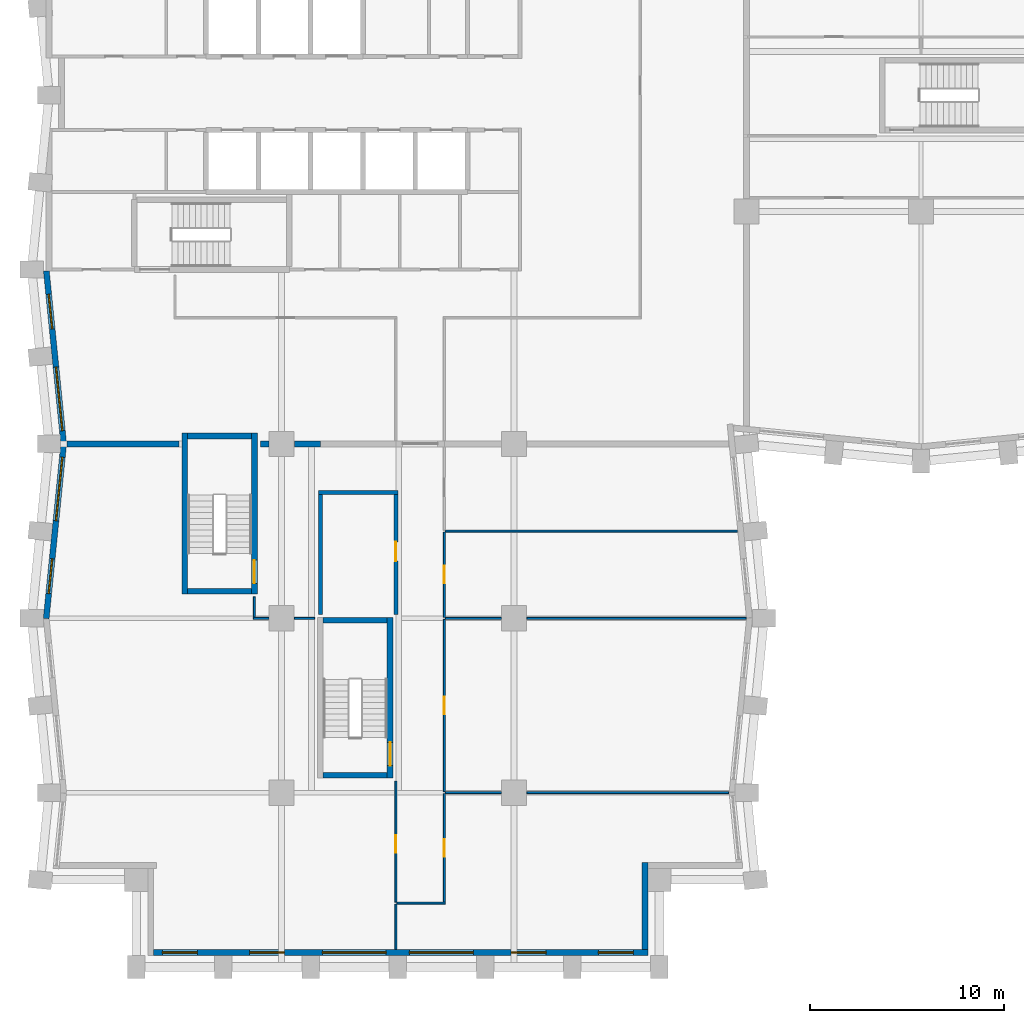
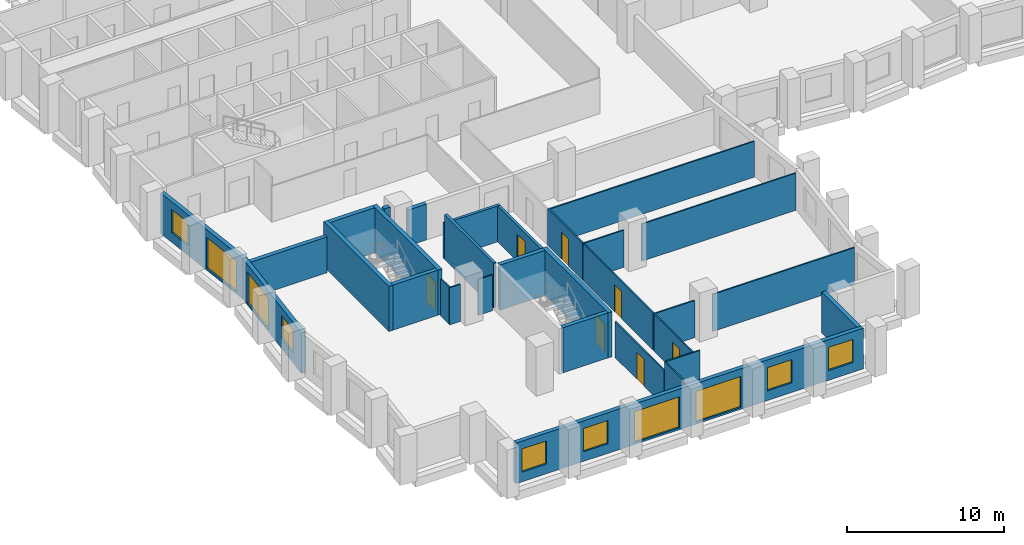
# One storey, part 3 of 11: 31 walls, 10 windows, 7 doors, 17 openings.
"""IFC4 building model written with IfcOpenShell, lengths in metres."""

from ifc_helpers import new_model, si_unit, direction, frame, frame_2d, origin, place, context, subcontext, project, spatial, rectangle, extrude, material, layer, layer_set, type_object, element, fill, save


model = new_model("IFC4")

# Units and contexts
model_context = context("Model", 3, precision=1e-05, world=origin(), true_north=direction((0.0, 1.0)))
body_context = subcontext(model_context, "Body", "Model", "MODEL_VIEW")
ifc_project = project(units=[si_unit("LENGTHUNIT", "METRE"), si_unit("AREAUNIT", "SQUARE_METRE"), si_unit("VOLUMEUNIT", "CUBIC_METRE"), si_unit("PLANEANGLEUNIT", "RADIAN"), si_unit("MASSUNIT", "GRAM", prefix="KILO")], contexts=[model_context])

# Site, building, storey
site_placement = place(None, origin())
site = spatial("IfcSite", under=ifc_project, at=site_placement, CompositionType="ELEMENT")
building_placement = place(site_placement, origin())
building = spatial("IfcBuilding", under=site, at=building_placement, Name="Brondeck Convention Tower", CompositionType="ELEMENT")
storey_placement = place(building_placement, frame((0.0, 0.0, 99.89990234375)))
storey = spatial("IfcBuildingStorey", under=building, at=storey_placement, Name="L23", CompositionType="ELEMENT", Elevation=99.89990234375)

# Walls
ifc_material_1 = material(Name="Concrete compartment wall C30/37", Category="concrete")
ifc_layer_1 = layer(ifc_material_1, 0.300048828125)
ifc_layer_set_1 = layer_set([ifc_layer_1], Name="Compartment wall 300")
wall_type_1 = type_object("IfcWallType", Name="Compartment wall 300", PredefinedType="PARTITIONING", material=ifc_layer_set_1)
wall_1_placement = place(storey_placement, frame((0.924560546875, 27.0, 0.0), z_axis=(0.0, 0.0, 1.0), x_axis=(1.0, 0.0, 0.0)))
element("IfcWall", 1, at=wall_1_placement, inside=storey, type_object=wall_type_1, Name="FLR-L23-W019", PredefinedType="PARTITIONING", context=body_context, shape_type="SweptSolid", body=[
    extrude(rectangle(XDim=5.775390625, YDim=0.300048828125, at=frame_2d((2.8876953125, 0.0))), origin(), (0.0, 0.0, 1.0), 2.780029296875),
])
wall_2_placement = place(storey_placement, frame((10.89990234375, 27.0, 0.0), z_axis=(0.0, 0.0, 1.0), x_axis=(1.0, 0.0, 0.0)))
element("IfcWall", 2, at=wall_2_placement, inside=storey, type_object=wall_type_1, Name="FLR-L23-W020", PredefinedType="PARTITIONING", context=body_context, shape_type="SweptSolid", body=[
    extrude(rectangle(XDim=0.445068359375, YDim=0.300048828125, at=frame_2d((0.22265625, 0.0))), origin(), (0.0, 0.0, 1.0), 3.47998046875),
])
wall_3_placement = place(storey_placement, frame((12.655029296875, 27.0, 0.0), z_axis=(0.0, 0.0, 1.0), x_axis=(1.0, 0.0, 0.0)))
element("IfcWall", 3, at=wall_3_placement, inside=storey, type_object=wall_type_1, Name="FLR-L23-W021", PredefinedType="PARTITIONING", context=body_context, shape_type="SweptSolid", body=[
    extrude(rectangle(XDim=1.344970703125, YDim=0.300048828125, at=frame_2d((0.67236328125, 0.0))), origin(), (0.0, 0.0, 1.0), 2.780029296875),
])

# Wall, openings, windows
ifc_material_2 = material(Name="Precast concrete C50/60 bronze finish", Category="concrete")
ifc_layer_2 = layer(ifc_material_2, 0.070068359375, Name="Bronze precast facing")
ifc_material_3 = material(Name="Mineral wool")
ifc_layer_3 = layer(ifc_material_3, 0.159912109375, Name="Insulation")
ifc_material_4 = material(Name="Concrete C35/45", Category="concrete")
ifc_layer_4 = layer(ifc_material_4, 0.070068359375, Name="Backing")
ifc_layer_set_2 = layer_set([ifc_layer_2, ifc_layer_3, ifc_layer_4], Name="External infill wall, precast concrete C50/60 bronze facing")
wall_type_2 = type_object("IfcWallType", Name="External infill wall, precast concrete C50/60 bronze facing", PredefinedType="SOLIDWALL", material=ifc_layer_set_2)
wall_4_placement = place(storey_placement, frame((30.89990234375, 0.75, 0.0), z_axis=(0.0, 0.0, 1.0), x_axis=(-1.0, 0.0, 0.0)))
wall_4 = element("IfcWall", 4, at=wall_4_placement, inside=storey, type_object=wall_type_2, Name="ENV-EW-L23-P0-B-S0-01", PredefinedType="SOLIDWALL", context=body_context, shape_type="SweptSolid", body=[
    extrude(rectangle(XDim=25.5, YDim=0.300048828125, at=frame_2d((12.75, 0.0))), origin(), (0.0, 0.0, 1.0), 3.150146484375),
])
opening_1_placement = place(wall_4_placement, frame((0.75, 0.0, 0.75)))
opening_1 = element("IfcOpeningElement", 5, at=opening_1_placement, cuts=wall_4, Name="Opening W10", PredefinedType="OPENING", context=body_context, shape_type="SweptSolid", body=[
    extrude(rectangle(XDim=1.800048828125, YDim=1.800048828125, at=frame_2d((0.89990234375, 0.89990234375))), frame((0.0, 0.159912109375, 0.0), z_axis=(0.0, -1.0, 0.0), x_axis=(1.0, 0.0, 0.0)), (0.0, 0.0, 1.0), 0.320068359375),
])
opening_2_placement = place(wall_4_placement, frame((5.25, 0.0, 0.75)))
opening_2 = element("IfcOpeningElement", 6, at=opening_2_placement, cuts=wall_4, Name="Opening W10", PredefinedType="OPENING", context=body_context, shape_type="SweptSolid", body=[
    extrude(rectangle(XDim=1.800048828125, YDim=1.800048828125, at=frame_2d((0.89990234375, 0.89990234375))), frame((0.0, 0.159912109375, 0.0), z_axis=(0.0, -1.0, 0.0), x_axis=(1.0, 0.0, 0.0)), (0.0, 0.0, 1.0), 0.320068359375),
])
opening_3_placement = place(wall_4_placement, frame((9.0, 0.0, 0.14990234375)))
opening_3 = element("IfcOpeningElement", 7, at=opening_3_placement, cuts=wall_4, Name="Opening W9", PredefinedType="OPENING", context=body_context, shape_type="SweptSolid", body=[
    extrude(rectangle(XDim=3.300048828125, YDim=2.39990234375, at=frame_2d((1.64990234375, 1.199951171875))), frame((0.0, 0.159912109375, 0.0), z_axis=(0.0, -1.0, 0.0), x_axis=(1.0, 0.0, 0.0)), (0.0, 0.0, 1.0), 0.320068359375),
])
opening_4_placement = place(wall_4_placement, frame((13.5, 0.0, 0.14990234375)))
opening_4 = element("IfcOpeningElement", 8, at=opening_4_placement, cuts=wall_4, Name="Opening W9", PredefinedType="OPENING", context=body_context, shape_type="SweptSolid", body=[
    extrude(rectangle(XDim=3.300048828125, YDim=2.39990234375, at=frame_2d((1.64990234375, 1.199951171875))), frame((0.0, 0.159912109375, 0.0), z_axis=(0.0, -1.0, 0.0), x_axis=(1.0, 0.0, 0.0)), (0.0, 0.0, 1.0), 0.320068359375),
])
opening_5_placement = place(wall_4_placement, frame((18.75, 0.0, 0.75)))
opening_5 = element("IfcOpeningElement", 9, at=opening_5_placement, cuts=wall_4, Name="Opening W10", PredefinedType="OPENING", context=body_context, shape_type="SweptSolid", body=[
    extrude(rectangle(XDim=1.800048828125, YDim=1.800048828125, at=frame_2d((0.89990234375, 0.89990234375))), frame((0.0, 0.159912109375, 0.0), z_axis=(0.0, -1.0, 0.0), x_axis=(1.0, 0.0, 0.0)), (0.0, 0.0, 1.0), 0.320068359375),
])
opening_6_placement = place(wall_4_placement, frame((23.25, 0.0, 0.75)))
opening_6 = element("IfcOpeningElement", 10, at=opening_6_placement, cuts=wall_4, Name="Opening W10", PredefinedType="OPENING", context=body_context, shape_type="SweptSolid", body=[
    extrude(rectangle(XDim=1.800048828125, YDim=1.800048828125, at=frame_2d((0.89990234375, 0.89990234375))), frame((0.0, 0.159912109375, 0.0), z_axis=(0.0, -1.0, 0.0), x_axis=(1.0, 0.0, 0.0)), (0.0, 0.0, 1.0), 0.320068359375),
])
ifc_material_5 = material(Name="Bronze tinted double glazing", Category="glass")
window_type_1 = type_object("IfcWindowType", Name="Glazed flute window, bronze tinted", PartitioningType="SINGLE_PANEL", PredefinedType="WINDOW", material=ifc_material_5)
window_1_placement = place(opening_3_placement, origin())
window_1 = element("IfcWindow", 11, at=window_1_placement, inside=storey, type_object=window_type_1, Name="ENV-WN-L23-P0-B-S0-04", OverallHeight=2.39990234375, OverallWidth=3.300048828125, PartitioningType="SINGLE_PANEL", PredefinedType="WINDOW", context=body_context, shape_type="SweptSolid", body=[
    extrude(rectangle(XDim=3.300048828125, YDim=2.39990234375, at=frame_2d((1.64990234375, 1.199951171875))), frame((0.0, 0.030029296875, 0.0), z_axis=(0.0, -1.0, 0.0), x_axis=(1.0, 0.0, 0.0)), (0.0, 0.0, 1.0), 0.06005859375),
])
fill(opening_3, window_1)
window_2_placement = place(opening_4_placement, origin())
window_2 = element("IfcWindow", 12, at=window_2_placement, inside=storey, type_object=window_type_1, Name="ENV-WN-L23-P0-B-S0-03", OverallHeight=2.39990234375, OverallWidth=3.300048828125, PartitioningType="SINGLE_PANEL", PredefinedType="WINDOW", context=body_context, shape_type="SweptSolid", body=[
    extrude(rectangle(XDim=3.300048828125, YDim=2.39990234375, at=frame_2d((1.64990234375, 1.199951171875))), frame((0.0, 0.030029296875, 0.0), z_axis=(0.0, -1.0, 0.0), x_axis=(1.0, 0.0, 0.0)), (0.0, 0.0, 1.0), 0.06005859375),
])
fill(opening_4, window_2)
window_type_2 = type_object("IfcWindowType", Name="Punched window, bronze tinted", PartitioningType="SINGLE_PANEL", PredefinedType="WINDOW", material=ifc_material_5)
window_3_placement = place(opening_1_placement, origin())
window_3 = element("IfcWindow", 13, at=window_3_placement, inside=storey, type_object=window_type_2, Name="ENV-WN-L23-P0-B-S0-06", OverallHeight=1.800048828125, OverallWidth=1.800048828125, PartitioningType="SINGLE_PANEL", PredefinedType="WINDOW", context=body_context, shape_type="SweptSolid", body=[
    extrude(rectangle(XDim=1.800048828125, YDim=1.800048828125, at=frame_2d((0.89990234375, 0.89990234375))), frame((0.0, 0.030029296875, 0.0), z_axis=(0.0, -1.0, 0.0), x_axis=(1.0, 0.0, 0.0)), (0.0, 0.0, 1.0), 0.06005859375),
])
fill(opening_1, window_3)
window_4_placement = place(opening_2_placement, origin())
window_4 = element("IfcWindow", 14, at=window_4_placement, inside=storey, type_object=window_type_2, Name="ENV-WN-L23-P0-B-S0-05", OverallHeight=1.800048828125, OverallWidth=1.800048828125, PartitioningType="SINGLE_PANEL", PredefinedType="WINDOW", context=body_context, shape_type="SweptSolid", body=[
    extrude(rectangle(XDim=1.800048828125, YDim=1.800048828125, at=frame_2d((0.89990234375, 0.89990234375))), frame((0.0, 0.030029296875, 0.0), z_axis=(0.0, -1.0, 0.0), x_axis=(1.0, 0.0, 0.0)), (0.0, 0.0, 1.0), 0.06005859375),
])
fill(opening_2, window_4)
window_5_placement = place(opening_5_placement, origin())
window_5 = element("IfcWindow", 15, at=window_5_placement, inside=storey, type_object=window_type_2, Name="ENV-WN-L23-P0-B-S0-02", OverallHeight=1.800048828125, OverallWidth=1.800048828125, PartitioningType="SINGLE_PANEL", PredefinedType="WINDOW", context=body_context, shape_type="SweptSolid", body=[
    extrude(rectangle(XDim=1.800048828125, YDim=1.800048828125, at=frame_2d((0.89990234375, 0.89990234375))), frame((0.0, 0.030029296875, 0.0), z_axis=(0.0, -1.0, 0.0), x_axis=(1.0, 0.0, 0.0)), (0.0, 0.0, 1.0), 0.06005859375),
])
fill(opening_5, window_5)
window_6_placement = place(opening_6_placement, origin())
window_6 = element("IfcWindow", 16, at=window_6_placement, inside=storey, type_object=window_type_2, Name="ENV-WN-L23-P0-B-S0-01", OverallHeight=1.800048828125, OverallWidth=1.800048828125, PartitioningType="SINGLE_PANEL", PredefinedType="WINDOW", context=body_context, shape_type="SweptSolid", body=[
    extrude(rectangle(XDim=1.800048828125, YDim=1.800048828125, at=frame_2d((0.89990234375, 0.89990234375))), frame((0.0, 0.030029296875, 0.0), z_axis=(0.0, -1.0, 0.0), x_axis=(1.0, 0.0, 0.0)), (0.0, 0.0, 1.0), 0.06005859375),
])
fill(opening_6, window_6)

# Wall
wall_5_placement = place(storey_placement, frame((30.75, 5.39990234375, 0.0), z_axis=(0.0, 0.0, 1.0), x_axis=(0.0, -1.0, 0.0)))
element("IfcWall", 17, at=wall_5_placement, inside=storey, type_object=wall_type_2, Name="ENV-EW-L23-P0-NC-SEB0-01", PredefinedType="SOLIDWALL", context=body_context, shape_type="SweptSolid", body=[
    extrude(rectangle(XDim=4.501953125, YDim=0.300048828125, at=frame_2d((2.2509765625, 0.0))), origin(), (0.0, 0.0, 1.0), 3.150146484375),
])

# Wall, openings, windows
wall_6_placement = place(storey_placement, frame((0.755126953125, 26.985107421875, 0.0), z_axis=(0.0, 0.0, 1.0), x_axis=(-0.099479505633, 0.995039611251, 0.0)))
wall_6 = element("IfcWall", 18, at=wall_6_placement, inside=storey, type_object=wall_type_2, Name="ENV-EW-L23-P0-B-W-06", PredefinedType="SOLIDWALL", context=body_context, shape_type="SweptSolid", body=[
    extrude(rectangle(XDim=8.98486328125, YDim=0.300048828125, at=frame_2d((4.492431640625, 0.0))), origin(), (0.0, 0.0, 1.0), 3.150146484375),
])
opening_7_placement = place(wall_6_placement, frame((0.701171875, 0.0, 0.14990234375)))
opening_7 = element("IfcOpeningElement", 19, at=opening_7_placement, cuts=wall_6, Name="Opening W9", PredefinedType="OPENING", context=body_context, shape_type="SweptSolid", body=[
    extrude(rectangle(XDim=3.300048828125, YDim=2.39990234375, at=frame_2d((1.64990234375, 1.199951171875))), frame((0.0, 0.159912109375, 0.0), z_axis=(0.0, -1.0, 0.0), x_axis=(1.0, 0.0, 0.0)), (0.0, 0.0, 1.0), 0.320068359375),
])
opening_8_placement = place(wall_6_placement, frame((5.9736328125, 0.0, 0.75)))
opening_8 = element("IfcOpeningElement", 20, at=opening_8_placement, cuts=wall_6, Name="Opening W10", PredefinedType="OPENING", context=body_context, shape_type="SweptSolid", body=[
    extrude(rectangle(XDim=1.800048828125, YDim=1.800048828125, at=frame_2d((0.89990234375, 0.89990234375))), frame((0.0, 0.159912109375, 0.0), z_axis=(0.0, -1.0, 0.0), x_axis=(1.0, 0.0, 0.0)), (0.0, 0.0, 1.0), 0.320068359375),
])
window_7_placement = place(opening_7_placement, origin())
window_7 = element("IfcWindow", 21, at=window_7_placement, inside=storey, type_object=window_type_1, Name="ENV-WN-L23-P0-B-W-07", OverallHeight=2.39990234375, OverallWidth=3.300048828125, PartitioningType="SINGLE_PANEL", PredefinedType="WINDOW", context=body_context, shape_type="SweptSolid", body=[
    extrude(rectangle(XDim=3.300048828125, YDim=2.39990234375, at=frame_2d((1.64990234375, 1.199951171875))), frame((0.0, 0.030029296875, 0.0), z_axis=(0.0, -1.0, 0.0), x_axis=(1.0, 0.0, 0.0)), (0.0, 0.0, 1.0), 0.06005859375),
])
fill(opening_7, window_7)
window_8_placement = place(opening_8_placement, origin())
window_8 = element("IfcWindow", 22, at=window_8_placement, inside=storey, type_object=window_type_2, Name="ENV-WN-L23-P0-B-W-06", OverallHeight=1.800048828125, OverallWidth=1.800048828125, PartitioningType="SINGLE_PANEL", PredefinedType="WINDOW", context=body_context, shape_type="SweptSolid", body=[
    extrude(rectangle(XDim=1.800048828125, YDim=1.800048828125, at=frame_2d((0.89990234375, 0.89990234375))), frame((0.0, 0.030029296875, 0.0), z_axis=(0.0, -1.0, 0.0), x_axis=(1.0, 0.0, 0.0)), (0.0, 0.0, 1.0), 0.06005859375),
])
fill(opening_8, window_8)

wall_7_placement = place(storey_placement, frame((-0.147705078125, 17.985107421875, 0.0), z_axis=(0.0, 0.0, 1.0), x_axis=(0.099495688264, 0.995037993253, 0.0)))
wall_7 = element("IfcWall", 23, at=wall_7_placement, inside=storey, type_object=wall_type_2, Name="ENV-EW-L23-P0-B-W-08", PredefinedType="SOLIDWALL", context=body_context, shape_type="SweptSolid", body=[
    extrude(rectangle(XDim=9.030029296875, YDim=0.300048828125, at=frame_2d((4.51513671875, 0.0))), origin(), (0.0, 0.0, 1.0), 3.150146484375),
])
opening_9_placement = place(wall_7_placement, frame((1.30126953125, 0.0, 0.75)))
opening_9 = element("IfcOpeningElement", 24, at=opening_9_placement, cuts=wall_7, Name="Opening W10", PredefinedType="OPENING", context=body_context, shape_type="SweptSolid", body=[
    extrude(rectangle(XDim=1.800048828125, YDim=1.800048828125, at=frame_2d((0.89990234375, 0.89990234375))), frame((0.0, 0.159912109375, 0.0), z_axis=(0.0, -1.0, 0.0), x_axis=(1.0, 0.0, 0.0)), (0.0, 0.0, 1.0), 0.320068359375),
])
opening_10_placement = place(wall_7_placement, frame((5.073486328125, 0.0, 0.14990234375)))
opening_10 = element("IfcOpeningElement", 25, at=opening_10_placement, cuts=wall_7, Name="Opening W9", PredefinedType="OPENING", context=body_context, shape_type="SweptSolid", body=[
    extrude(rectangle(XDim=3.300048828125, YDim=2.39990234375, at=frame_2d((1.64990234375, 1.199951171875))), frame((0.0, 0.159912109375, 0.0), z_axis=(0.0, -1.0, 0.0), x_axis=(1.0, 0.0, 0.0)), (0.0, 0.0, 1.0), 0.320068359375),
])
window_9_placement = place(opening_10_placement, origin())
window_9 = element("IfcWindow", 26, at=window_9_placement, inside=storey, type_object=window_type_1, Name="ENV-WN-L23-P0-B-W-08", OverallHeight=2.39990234375, OverallWidth=3.300048828125, PartitioningType="SINGLE_PANEL", PredefinedType="WINDOW", context=body_context, shape_type="SweptSolid", body=[
    extrude(rectangle(XDim=3.300048828125, YDim=2.39990234375, at=frame_2d((1.64990234375, 1.199951171875))), frame((0.0, 0.030029296875, 0.0), z_axis=(0.0, -1.0, 0.0), x_axis=(1.0, 0.0, 0.0)), (0.0, 0.0, 1.0), 0.06005859375),
])
fill(opening_10, window_9)
window_10_placement = place(opening_9_placement, origin())
window_10 = element("IfcWindow", 27, at=window_10_placement, inside=storey, type_object=window_type_2, Name="ENV-WN-L23-P0-B-W-09", OverallHeight=1.800048828125, OverallWidth=1.800048828125, PartitioningType="SINGLE_PANEL", PredefinedType="WINDOW", context=body_context, shape_type="SweptSolid", body=[
    extrude(rectangle(XDim=1.800048828125, YDim=1.800048828125, at=frame_2d((0.89990234375, 0.89990234375))), frame((0.0, 0.030029296875, 0.0), z_axis=(0.0, -1.0, 0.0), x_axis=(1.0, 0.0, 0.0)), (0.0, 0.0, 1.0), 0.06005859375),
])
fill(opening_9, window_10)

# Wall, opening, door
ifc_material_6 = material(Name="Concrete block wall C16/20", Category="concrete")
ifc_layer_5 = layer(ifc_material_6, 0.199951171875)
ifc_layer_set_3 = layer_set([ifc_layer_5], Name="Plant room wall 200")
wall_type_3 = type_object("IfcWallType", Name="Plant room wall 200", PredefinedType="PARTITIONING", material=ifc_layer_set_3)
wall_8_placement = place(storey_placement, frame((17.89990234375, 18.199951171875, 0.0), z_axis=(0.0, 0.0, 1.0), x_axis=(0.0, 1.0, 0.0)))
wall_8 = element("IfcWall", 28, at=wall_8_placement, inside=storey, type_object=wall_type_3, Name="FLR-L23-W013", PredefinedType="PARTITIONING", context=body_context, shape_type="SweptSolid", body=[
    extrude(rectangle(XDim=6.199951171875, YDim=0.199951171875, at=frame_2d((3.10009765625, 0.0))), origin(), (0.0, 0.0, 1.0), 2.780029296875),
])
opening_11_placement = place(wall_8_placement, frame((2.75, 0.0, 0.0)))
opening_11 = element("IfcOpeningElement", 29, at=opening_11_placement, cuts=wall_8, Name="Opening OF-B-001", PredefinedType="OPENING", context=body_context, shape_type="SweptSolid", body=[
    extrude(rectangle(XDim=1.0, YDim=2.10009765625, at=frame_2d((0.5, 1.050048828125))), frame((0.0, 0.10986328125, 0.0), z_axis=(0.0, -1.0, 0.0), x_axis=(1.0, 0.0, 0.0)), (0.0, 0.0, 1.0), 0.219970703125),
])
ifc_material_7 = material(Name="Steel fire door leaf", Category="steel")
door_type_1 = type_object("IfcDoorType", Name="Plant room door 1000", OperationType="NOTDEFINED", PredefinedType="DOOR", material=ifc_material_7)
door_1_placement = place(opening_11_placement, origin())
door_1 = element("IfcDoor", 30, at=door_1_placement, inside=storey, type_object=door_type_1, Name="Door OF-B-001", OperationType="SINGLE_SWING_LEFT", OverallHeight=2.10009765625, OverallWidth=1.0, PredefinedType="DOOR", context=body_context, shape_type="SweptSolid", body=[
    extrude(rectangle(XDim=1.0, YDim=2.10009765625, at=frame_2d((0.5, 1.050048828125))), frame((0.0, 0.02490234375, 0.0), z_axis=(0.0, -1.0, 0.0), x_axis=(1.0, 0.0, 0.0)), (0.0, 0.0, 1.0), 0.050048828125),
])
fill(opening_11, door_1)

# Walls
wall_9_placement = place(storey_placement, frame((14.0, 24.39990234375, 0.0), z_axis=(0.0, 0.0, 1.0), x_axis=(0.0, -1.0, 0.0)))
element("IfcWall", 31, at=wall_9_placement, inside=storey, type_object=wall_type_3, Name="FLR-L23-W016", PredefinedType="PARTITIONING", context=body_context, shape_type="SweptSolid", body=[
    extrude(rectangle(XDim=6.199951171875, YDim=0.199951171875, at=frame_2d((3.10009765625, 0.0))), origin(), (0.0, 0.0, 1.0), 3.47998046875),
])
wall_10_placement = place(storey_placement, frame((18.0, 24.5, 0.0), z_axis=(0.0, 0.0, 1.0), x_axis=(-1.0, 0.0, 0.0)))
element("IfcWall", 32, at=wall_10_placement, inside=storey, type_object=wall_type_3, Name="FLR-L23-W017", PredefinedType="PARTITIONING", context=body_context, shape_type="SweptSolid", body=[
    extrude(rectangle(XDim=4.10009765625, YDim=0.199951171875, at=frame_2d((2.050048828125, 0.0))), origin(), (0.0, 0.0, 1.0), 2.780029296875),
])
ifc_material_8 = material(Name="Gypsum board partition on steel studs", Category="steel")
ifc_layer_6 = layer(ifc_material_8, 0.10009765625)
ifc_layer_set_4 = layer_set([ifc_layer_6], Name="Room partition 100")
wall_type_4 = type_object("IfcWallType", Name="Room partition 100", PredefinedType="PARTITIONING", material=ifc_layer_set_4)
wall_11_placement = place(storey_placement, frame((17.89990234375, 0.919921875, 0.0), z_axis=(0.0, 0.0, 1.0), x_axis=(0.0, 1.0, 0.0)))
element("IfcWall", 33, at=wall_11_placement, inside=storey, type_object=wall_type_4, Name="FLR-L23-W001", PredefinedType="PARTITIONING", context=body_context, shape_type="SweptSolid", body=[
    extrude(rectangle(XDim=2.330078125, YDim=0.10009765625, at=frame_2d((1.1650390625, 0.0))), origin(), (0.0, 0.0, 1.0), 3.47998046875),
])
wall_12_placement = place(storey_placement, frame((20.449951171875, 3.300048828125, 0.0), z_axis=(0.0, 0.0, 1.0), x_axis=(-1.0, 0.0, 0.0)))
element("IfcWall", 34, at=wall_12_placement, inside=storey, type_object=wall_type_4, Name="FLR-L23-W002", PredefinedType="PARTITIONING", context=body_context, shape_type="SweptSolid", body=[
    extrude(rectangle(XDim=2.5, YDim=0.10009765625, at=frame_2d((1.25, 0.0))), origin(), (0.0, 0.0, 1.0), 3.47998046875),
])

# Wall, opening, door
wall_13_placement = place(storey_placement, frame((17.89990234375, 3.35009765625, 0.0), z_axis=(0.0, 0.0, 1.0), x_axis=(0.0, 1.0, 0.0)))
wall_13 = element("IfcWall", 35, at=wall_13_placement, inside=storey, type_object=wall_type_4, Name="FLR-L23-W003", PredefinedType="PARTITIONING", context=body_context, shape_type="SweptSolid", body=[
    extrude(rectangle(XDim=6.25, YDim=0.10009765625, at=frame_2d((3.125, 0.0))), origin(), (0.0, 0.0, 1.0), 2.780029296875),
])
opening_12_placement = place(wall_13_placement, frame((2.550048828125, 0.0, 0.0)))
opening_12 = element("IfcOpeningElement", 36, at=opening_12_placement, cuts=wall_13, Name="Opening OF-B-018", PredefinedType="OPENING", context=body_context, shape_type="SweptSolid", body=[
    extrude(rectangle(XDim=0.89990234375, YDim=2.10009765625, at=frame_2d((0.449951171875, 1.050048828125))), frame((0.0, 0.06005859375, 0.0), z_axis=(0.0, -1.0, 0.0), x_axis=(1.0, 0.0, 0.0)), (0.0, 0.0, 1.0), 0.1201171875),
])
ifc_material_9 = material(Name="Solid timber door leaf", Category="wood")
door_type_2 = type_object("IfcDoorType", Name="Single door 900", OperationType="NOTDEFINED", PredefinedType="DOOR", material=ifc_material_9)
door_2_placement = place(opening_12_placement, origin())
door_2 = element("IfcDoor", 37, at=door_2_placement, inside=storey, type_object=door_type_2, Name="Door OF-B-018", OperationType="SINGLE_SWING_LEFT", OverallHeight=2.10009765625, OverallWidth=0.89990234375, PredefinedType="DOOR", context=body_context, shape_type="SweptSolid", body=[
    extrude(rectangle(XDim=0.89990234375, YDim=2.10009765625, at=frame_2d((0.449951171875, 1.050048828125))), frame((0.0, 0.02490234375, 0.0), z_axis=(0.0, -1.0, 0.0), x_axis=(1.0, 0.0, 0.0)), (0.0, 0.0, 1.0), 0.050048828125),
])
fill(opening_12, door_2)

wall_14_placement = place(storey_placement, frame((20.39990234375, 8.949951171875, 0.0), z_axis=(0.0, 0.0, 1.0), x_axis=(0.0, -1.0, 0.0)))
wall_14 = element("IfcWall", 38, at=wall_14_placement, inside=storey, type_object=wall_type_4, Name="FLR-L23-W004", PredefinedType="PARTITIONING", context=body_context, shape_type="SweptSolid", body=[
    extrude(rectangle(XDim=5.599853515625, YDim=0.10009765625, at=frame_2d((2.7998046875, 0.0))), origin(), (0.0, 0.0, 1.0), 2.880126953125),
])
opening_13_placement = place(wall_14_placement, frame((2.35009765625, 0.0, 0.0)))
opening_13 = element("IfcOpeningElement", 39, at=opening_13_placement, cuts=wall_14, Name="Opening OF-B-017", PredefinedType="OPENING", context=body_context, shape_type="SweptSolid", body=[
    extrude(rectangle(XDim=0.89990234375, YDim=2.10009765625, at=frame_2d((0.449951171875, 1.050048828125))), frame((0.0, 0.06005859375, 0.0), z_axis=(0.0, -1.0, 0.0), x_axis=(1.0, 0.0, 0.0)), (0.0, 0.0, 1.0), 0.1201171875),
])
door_3_placement = place(opening_13_placement, origin())
door_3 = element("IfcDoor", 40, at=door_3_placement, inside=storey, type_object=door_type_2, Name="Door OF-B-017", OperationType="SINGLE_SWING_LEFT", OverallHeight=2.10009765625, OverallWidth=0.89990234375, PredefinedType="DOOR", context=body_context, shape_type="SweptSolid", body=[
    extrude(rectangle(XDim=0.89990234375, YDim=2.10009765625, at=frame_2d((0.449951171875, 1.050048828125))), frame((0.0, 0.02490234375, 0.0), z_axis=(0.0, -1.0, 0.0), x_axis=(1.0, 0.0, 0.0)), (0.0, 0.0, 1.0), 0.050048828125),
])
fill(opening_13, door_3)

# Walls
wall_15_placement = place(storey_placement, frame((23.344970703125, 9.0, 0.0), z_axis=(0.0, 0.0, 1.0), x_axis=(-1.0, 0.0, 0.0)))
element("IfcWall", 41, at=wall_15_placement, inside=storey, type_object=wall_type_4, Name="FLR-L23-W005", PredefinedType="PARTITIONING", context=body_context, shape_type="SweptSolid", body=[
    extrude(rectangle(XDim=2.89501953125, YDim=0.10009765625, at=frame_2d((1.447509765625, 0.0))), origin(), (0.0, 0.0, 1.0), 2.880126953125),
])
wall_16_placement = place(storey_placement, frame((35.075439453125, 9.0, 0.0), z_axis=(0.0, 0.0, 1.0), x_axis=(-1.0, 0.0, 0.0)))
element("IfcWall", 42, at=wall_16_placement, inside=storey, type_object=wall_type_4, Name="FLR-L23-W006", PredefinedType="PARTITIONING", context=body_context, shape_type="SweptSolid", body=[
    extrude(rectangle(XDim=10.42041015625, YDim=0.10009765625, at=frame_2d((5.210205078125, 0.0))), origin(), (0.0, 0.0, 1.0), 2.880126953125),
])

# Wall, opening, door
wall_17_placement = place(storey_placement, frame((20.39990234375, 17.949951171875, 0.0), z_axis=(0.0, 0.0, 1.0), x_axis=(0.0, -1.0, 0.0)))
wall_17 = element("IfcWall", 43, at=wall_17_placement, inside=storey, type_object=wall_type_4, Name="FLR-L23-W007", PredefinedType="PARTITIONING", context=body_context, shape_type="SweptSolid", body=[
    extrude(rectangle(XDim=8.89990234375, YDim=0.10009765625, at=frame_2d((4.449951171875, 0.0))), origin(), (0.0, 0.0, 1.0), 2.880126953125),
])
opening_14_placement = place(wall_17_placement, frame((4.0, 0.0, 0.0)))
opening_14 = element("IfcOpeningElement", 44, at=opening_14_placement, cuts=wall_17, Name="Opening OF-B-016", PredefinedType="OPENING", context=body_context, shape_type="SweptSolid", body=[
    extrude(rectangle(XDim=0.89990234375, YDim=2.10009765625, at=frame_2d((0.449951171875, 1.050048828125))), frame((0.0, 0.06005859375, 0.0), z_axis=(0.0, -1.0, 0.0), x_axis=(1.0, 0.0, 0.0)), (0.0, 0.0, 1.0), 0.1201171875),
])
door_4_placement = place(opening_14_placement, origin())
door_4 = element("IfcDoor", 45, at=door_4_placement, inside=storey, type_object=door_type_2, Name="Door OF-B-016", OperationType="SINGLE_SWING_LEFT", OverallHeight=2.10009765625, OverallWidth=0.89990234375, PredefinedType="DOOR", context=body_context, shape_type="SweptSolid", body=[
    extrude(rectangle(XDim=0.89990234375, YDim=2.10009765625, at=frame_2d((0.449951171875, 1.050048828125))), frame((0.0, 0.02490234375, 0.0), z_axis=(0.0, -1.0, 0.0), x_axis=(1.0, 0.0, 0.0)), (0.0, 0.0, 1.0), 0.050048828125),
])
fill(opening_14, door_4)

# Walls
wall_18_placement = place(storey_placement, frame((11.344970703125, 18.0, 0.0), z_axis=(0.0, 0.0, 1.0), x_axis=(-1.0, 0.0, 0.0)))
element("IfcWall", 46, at=wall_18_placement, inside=storey, type_object=wall_type_4, Name="FLR-L23-W008", PredefinedType="PARTITIONING", context=body_context, shape_type="SweptSolid", body=[
    extrude(rectangle(XDim=0.794921875, YDim=0.10009765625, at=frame_2d((0.3974609375, 0.0))), origin(), (0.0, 0.0, 1.0), 2.880126953125),
])
wall_19_placement = place(storey_placement, frame((13.699951171875, 18.0, 0.0), z_axis=(0.0, 0.0, 1.0), x_axis=(-1.0, 0.0, 0.0)))
element("IfcWall", 47, at=wall_19_placement, inside=storey, type_object=wall_type_4, Name="FLR-L23-W009", PredefinedType="PARTITIONING", context=body_context, shape_type="SweptSolid", body=[
    extrude(rectangle(XDim=1.044921875, YDim=0.10009765625, at=frame_2d((0.5224609375, 0.0))), origin(), (0.0, 0.0, 1.0), 2.780029296875),
])
wall_20_placement = place(storey_placement, frame((23.344970703125, 18.0, 0.0), z_axis=(0.0, 0.0, 1.0), x_axis=(-1.0, 0.0, 0.0)))
element("IfcWall", 48, at=wall_20_placement, inside=storey, type_object=wall_type_4, Name="FLR-L23-W010", PredefinedType="PARTITIONING", context=body_context, shape_type="SweptSolid", body=[
    extrude(rectangle(XDim=2.89501953125, YDim=0.10009765625, at=frame_2d((1.447509765625, 0.0))), origin(), (0.0, 0.0, 1.0), 2.880126953125),
])
wall_21_placement = place(storey_placement, frame((35.9755859375, 18.0, 0.0), z_axis=(0.0, 0.0, 1.0), x_axis=(-1.0, 0.0, 0.0)))
element("IfcWall", 49, at=wall_21_placement, inside=storey, type_object=wall_type_4, Name="FLR-L23-W011", PredefinedType="PARTITIONING", context=body_context, shape_type="SweptSolid", body=[
    extrude(rectangle(XDim=11.320556640625, YDim=0.10009765625, at=frame_2d((5.66015625, 0.0))), origin(), (0.0, 0.0, 1.0), 2.880126953125),
])
wall_22_placement = place(storey_placement, frame((10.60009765625, 18.050048828125, 0.0), z_axis=(0.0, 0.0, 1.0), x_axis=(0.0, 1.0, 0.0)))
element("IfcWall", 50, at=wall_22_placement, inside=storey, type_object=wall_type_4, Name="FLR-L23-W012", PredefinedType="PARTITIONING", context=body_context, shape_type="SweptSolid", body=[
    extrude(rectangle(XDim=1.050048828125, YDim=0.10009765625, at=frame_2d((0.52490234375, 0.0))), origin(), (0.0, 0.0, 1.0), 2.880126953125),
])

# Wall, opening, door
wall_23_placement = place(storey_placement, frame((20.39990234375, 22.449951171875, 0.0), z_axis=(0.0, 0.0, 1.0), x_axis=(0.0, -1.0, 0.0)))
wall_23 = element("IfcWall", 51, at=wall_23_placement, inside=storey, type_object=wall_type_4, Name="FLR-L23-W014", PredefinedType="PARTITIONING", context=body_context, shape_type="SweptSolid", body=[
    extrude(rectangle(XDim=4.39990234375, YDim=0.10009765625, at=frame_2d((2.199951171875, 0.0))), origin(), (0.0, 0.0, 1.0), 2.880126953125),
])
opening_15_placement = place(wall_23_placement, frame((1.75, 0.0, 0.0)))
opening_15 = element("IfcOpeningElement", 52, at=opening_15_placement, cuts=wall_23, Name="Opening OF-B-015", PredefinedType="OPENING", context=body_context, shape_type="SweptSolid", body=[
    extrude(rectangle(XDim=0.89990234375, YDim=2.10009765625, at=frame_2d((0.449951171875, 1.050048828125))), frame((0.0, 0.06005859375, 0.0), z_axis=(0.0, -1.0, 0.0), x_axis=(1.0, 0.0, 0.0)), (0.0, 0.0, 1.0), 0.1201171875),
])
door_5_placement = place(opening_15_placement, origin())
door_5 = element("IfcDoor", 53, at=door_5_placement, inside=storey, type_object=door_type_2, Name="Door OF-B-015", OperationType="SINGLE_SWING_RIGHT", OverallHeight=2.10009765625, OverallWidth=0.89990234375, PredefinedType="DOOR", context=body_context, shape_type="SweptSolid", body=[
    extrude(rectangle(XDim=0.89990234375, YDim=2.10009765625, at=frame_2d((0.449951171875, 1.050048828125))), frame((0.0, 0.02490234375, 0.0), z_axis=(0.0, -1.0, 0.0), x_axis=(1.0, 0.0, 0.0)), (0.0, 0.0, 1.0), 0.050048828125),
])
fill(opening_15, door_5)

# Walls
wall_24_placement = place(storey_placement, frame((35.525390625, 22.5, 0.0), z_axis=(0.0, 0.0, 1.0), x_axis=(-1.0, 0.0, 0.0)))
element("IfcWall", 54, at=wall_24_placement, inside=storey, type_object=wall_type_4, Name="FLR-L23-W015", PredefinedType="PARTITIONING", context=body_context, shape_type="SweptSolid", body=[
    extrude(rectangle(XDim=15.075439453125, YDim=0.10009765625, at=frame_2d((7.53759765625, 0.0))), origin(), (0.0, 0.0, 1.0), 2.780029296875),
])
ifc_material_10 = material(Name="Concrete C70/85", Category="concrete")
ifc_layer_7 = layer(ifc_material_10, 0.300048828125)
ifc_layer_set_5 = layer_set([ifc_layer_7], Name="Stair enclosure wall 300 Concrete C70/85")
wall_type_5 = type_object("IfcWallType", Name="Stair enclosure wall 300 Concrete C70/85", PredefinedType="SHEAR", material=ifc_layer_set_5)
for number, where, z_axis, x_axis, name in (
    (55, (14.14990234375, 9.89990234375, 0.0), (0.0, 0.0, 1.0), (1.0, 0.0, 0.0), "L23 core wall"),
    (56, (14.14990234375, 17.89990234375, 0.0), (0.0, 0.0, 1.0), (1.0, 0.0, 0.0), "L23 core wall"),
    (57, (7.14990234375, 19.39990234375, 0.0), (0.0, 0.0, 1.0), (1.0, 0.0, 0.0), "L23 core wall"),
    (58, (7.14990234375, 27.39990234375, 0.0), (0.0, 0.0, 1.0), (1.0, 0.0, 0.0), "L23 core wall"),
):
    element("IfcWall", number, at=place(storey_placement, frame(where, z_axis=z_axis, x_axis=x_axis)), inside=storey, type_object=wall_type_5, Name=name, PredefinedType="SHEAR", context=body_context, shape_type="SweptSolid", body=[
        extrude(rectangle(XDim=3.300048828125, YDim=0.300048828125, at=frame_2d((1.64990234375, 0.0))), origin(), (0.0, 0.0, 1.0), 3.5),
    ])
wall_25_placement = place(storey_placement, frame((7.0, 19.25, 0.0), z_axis=(0.0, 0.0, 1.0), x_axis=(0.0, 1.0, 0.0)))
element("IfcWall", 59, at=wall_25_placement, inside=storey, type_object=wall_type_5, Name="L23 core wall", PredefinedType="SHEAR", context=body_context, shape_type="SweptSolid", body=[
    extrude(rectangle(XDim=8.300048828125, YDim=0.300048828125, at=frame_2d((4.14990234375, 0.0))), origin(), (0.0, 0.0, 1.0), 3.5),
])

# Wall, opening, door
wall_26_placement = place(storey_placement, frame((10.60009765625, 19.25, 0.0), z_axis=(0.0, 0.0, 1.0), x_axis=(0.0, 1.0, 0.0)))
wall_26 = element("IfcWall", 60, at=wall_26_placement, inside=storey, type_object=wall_type_5, Name="L23 core wall", PredefinedType="SHEAR", context=body_context, shape_type="SweptSolid", body=[
    extrude(rectangle(XDim=8.300048828125, YDim=0.300048828125, at=frame_2d((4.14990234375, 0.0))), origin(), (0.0, 0.0, 1.0), 3.5),
])
opening_16_placement = place(wall_26_placement, frame((0.550048828125, 0.0, 0.0)))
opening_16 = element("IfcOpeningElement", 61, at=opening_16_placement, cuts=wall_26, Name="Opening C15-21", PredefinedType="OPENING", context=body_context, shape_type="SweptSolid", body=[
    extrude(rectangle(XDim=1.199951171875, YDim=2.199951171875, at=frame_2d((0.60009765625, 1.10009765625))), frame((0.0, 0.159912109375, 0.0), z_axis=(0.0, -1.0, 0.0), x_axis=(1.0, 0.0, 0.0)), (0.0, 0.0, 1.0), 0.320068359375),
])
ifc_material_11 = material(Name="Steel fire door", Category="steel")
door_type_3 = type_object("IfcDoorType", Name="Stair door 1200x2200 EI 90", OperationType="NOTDEFINED", PredefinedType="DOOR", material=ifc_material_11)
door_6_placement = place(opening_16_placement, origin())
door_6 = element("IfcDoor", 62, at=door_6_placement, inside=storey, type_object=door_type_3, Name="L23 Stair door ST-BE", OperationType="SINGLE_SWING_RIGHT", OverallHeight=2.199951171875, OverallWidth=1.199951171875, PredefinedType="DOOR", context=body_context, shape_type="SweptSolid", body=[
    extrude(rectangle(XDim=1.199951171875, YDim=2.199951171875, at=frame_2d((0.60009765625, 1.10009765625))), frame((0.0, 0.02490234375, 0.0), z_axis=(0.0, -1.0, 0.0), x_axis=(1.0, 0.0, 0.0)), (0.0, 0.0, 1.0), 0.050048828125),
])
fill(opening_16, door_6)

wall_27_placement = place(storey_placement, frame((17.60009765625, 9.75, 0.0), z_axis=(0.0, 0.0, 1.0), x_axis=(0.0, 1.0, 0.0)))
wall_27 = element("IfcWall", 63, at=wall_27_placement, inside=storey, type_object=wall_type_5, Name="L23 core wall", PredefinedType="SHEAR", context=body_context, shape_type="SweptSolid", body=[
    extrude(rectangle(XDim=8.300048828125, YDim=0.300048828125, at=frame_2d((4.14990234375, 0.0))), origin(), (0.0, 0.0, 1.0), 3.5),
])
opening_17_placement = place(wall_27_placement, frame((0.64990234375, 0.0, 0.0)))
opening_17 = element("IfcOpeningElement", 64, at=opening_17_placement, cuts=wall_27, Name="Opening C15-22", PredefinedType="OPENING", context=body_context, shape_type="SweptSolid", body=[
    extrude(rectangle(XDim=1.199951171875, YDim=2.199951171875, at=frame_2d((0.60009765625, 1.10009765625))), frame((0.0, 0.159912109375, 0.0), z_axis=(0.0, -1.0, 0.0), x_axis=(1.0, 0.0, 0.0)), (0.0, 0.0, 1.0), 0.320068359375),
])
door_7_placement = place(opening_17_placement, origin())
door_7 = element("IfcDoor", 65, at=door_7_placement, inside=storey, type_object=door_type_3, Name="L23 Stair door ST-BF", OperationType="SINGLE_SWING_LEFT", OverallHeight=2.199951171875, OverallWidth=1.199951171875, PredefinedType="DOOR", context=body_context, shape_type="SweptSolid", body=[
    extrude(rectangle(XDim=1.199951171875, YDim=2.199951171875, at=frame_2d((0.60009765625, 1.10009765625))), frame((0.0, 0.02490234375, 0.0), z_axis=(0.0, -1.0, 0.0), x_axis=(1.0, 0.0, 0.0)), (0.0, 0.0, 1.0), 0.050048828125),
])
fill(opening_17, door_7)

save(model, "model.ifc")
